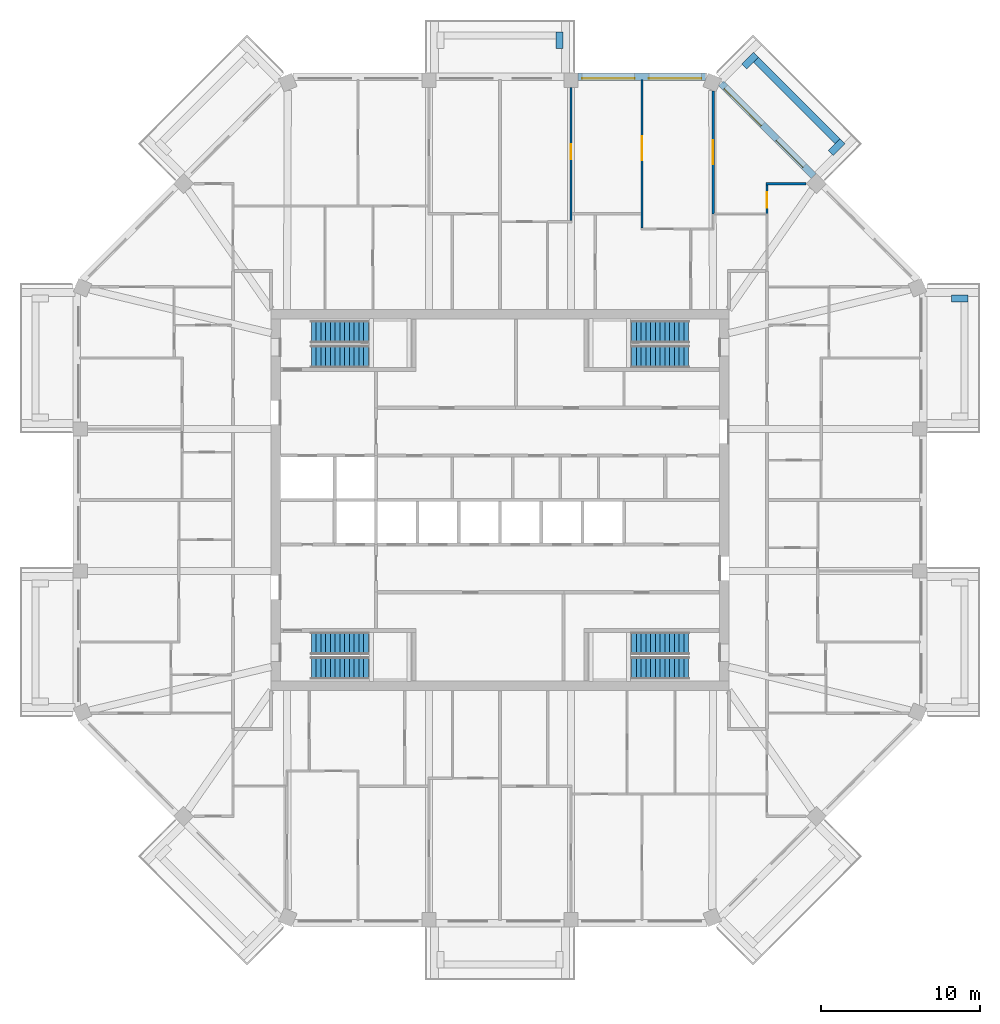
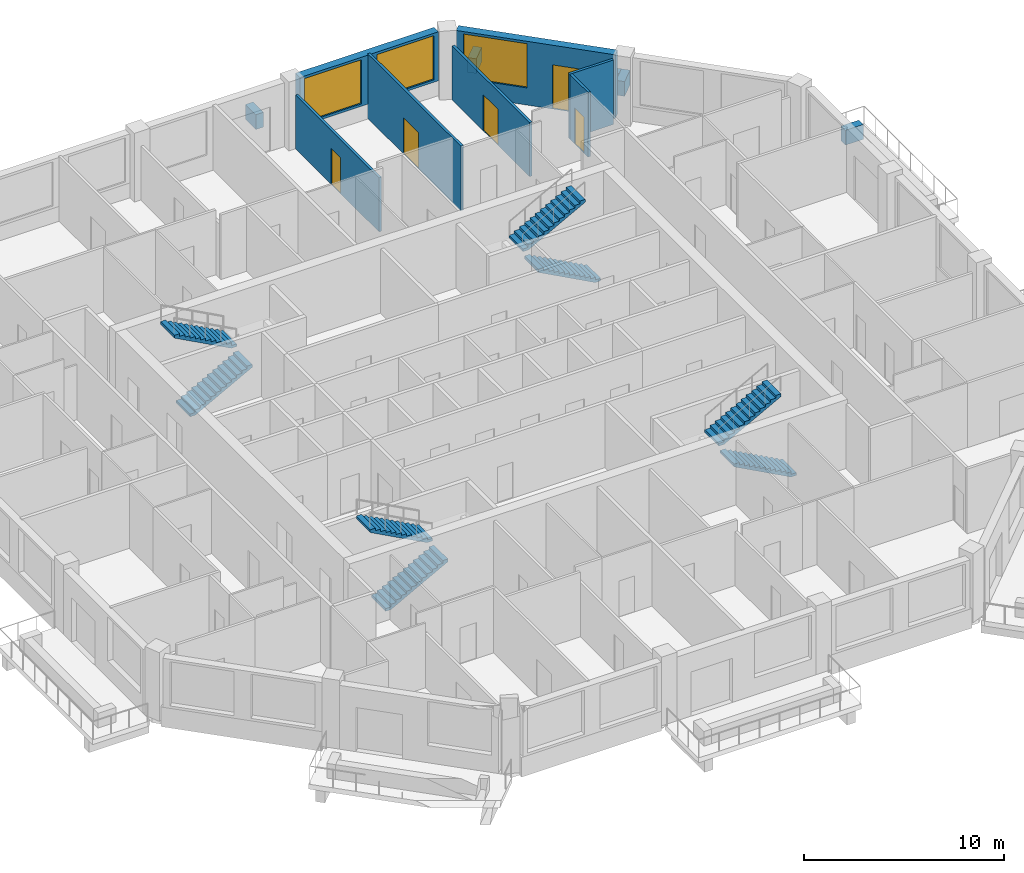
# One storey, part 10 of 12: 12 walls, 8 stair flights, 5 doors, 3 windows, 8 openings, 4 elements without a shape of their own.
"""IFC4 building model written with IfcOpenShell, lengths in metres."""

import ifcopenshell
import ifcopenshell.guid

model = None  # the IFC model being written
_history = None  # IfcOwnerHistory: only IFC2X3 demands one
_inside = {}  # id of a spatial element -> (the spatial element, [elements in it])
_under = {}  # id of a project, library or spatial element -> (it, [spatial elements below it])
_declared = {}  # id of a project -> (the project, [libraries it declares])
_typed = {}  # id of a type object -> (the type object, [elements of that type])
_made_of = {}  # id of a material, layer set ... -> (it, [elements and type objects made of it])


def new_model(schema):
    """Start an empty IFC model of exactly this schema.

    Asked for "IFC4X3", IfcOpenShell would pick the latest addendum, in which some entities
    have other attributes; the version numbers below select the first issue.
    IFC2X3 requires an IfcOwnerHistory on every rooted entity: one is made here for all.
    """
    global model, _history
    if schema == "IFC4X3":
        model = ifcopenshell.file(schema_version=(4, 3, 0, 0))
    else:
        model = ifcopenshell.file(schema=schema)
    _inside.clear()
    _under.clear()
    _declared.clear()
    _typed.clear()
    _made_of.clear()
    _history = None
    if model.schema == "IFC2X3":
        org = make("IfcOrganization", Name="unknown")
        user = make(
            "IfcPersonAndOrganization",
            ThePerson=make("IfcPerson", FamilyName="unknown"),
            TheOrganization=org,
        )
        app = make(
            "IfcApplication",
            ApplicationDeveloper=org,
            Version="unknown",
            ApplicationFullName="unknown",
            ApplicationIdentifier="unknown",
        )
        _history = make(
            "IfcOwnerHistory",
            OwningUser=user,
            OwningApplication=app,
            ChangeAction="ADDED",
            CreationDate=0,
        )
    return model


def make(cls, **values):
    """One entity of the class cls with the attributes given. An attribute that is None is left unset."""
    return model.create_entity(
        cls, **{name: value for name, value in values.items() if value is not None}
    )


def rooted(cls, **values):
    """An entity with a GlobalId (a new one), such as an element, a storey or a relation."""
    return make(cls, GlobalId=ifcopenshell.guid.new(), OwnerHistory=_history, **values)


def si_unit(unit_type, name, prefix=None):
    """IfcSIUnit, for example si_unit("LENGTHUNIT", "METRE", prefix="MILLI")."""
    return make("IfcSIUnit", UnitType=unit_type, Prefix=prefix, Name=name)


def assignment(units):
    """IfcUnitAssignment: the units of a project."""
    return None if units is None else make("IfcUnitAssignment", Units=units)


def point(xyz):
    """IfcCartesianPoint."""
    return None if xyz is None else make("IfcCartesianPoint", Coordinates=xyz)


def direction(xyz):
    """IfcDirection."""
    return None if xyz is None else make("IfcDirection", DirectionRatios=xyz)


def frame(location, z_axis=None, x_axis=None):
    """IfcAxis2Placement3D, a coordinate frame: its origin and axes. An axis left out is left unset."""
    return make(
        "IfcAxis2Placement3D",
        Location=point(location),
        Axis=direction(z_axis),
        RefDirection=direction(x_axis),
    )


def frame_2d(location, x_axis=None):
    """IfcAxis2Placement2D, a coordinate frame in the plane: its origin and x axis."""
    return make(
        "IfcAxis2Placement2D", Location=point(location), RefDirection=direction(x_axis)
    )


def origin():
    """The frame at (0, 0, 0) with its axes left unset."""
    return frame((0.0, 0.0, 0.0))


def place(relative_to, where):
    """IfcLocalPlacement: puts the frame where relative to a parent placement (None: the world)."""
    return make(
        "IfcLocalPlacement", PlacementRelTo=relative_to, RelativePlacement=where
    )


def context(
    kind, dimensions, precision=None, world=None, true_north=None, identifier=None
):
    """IfcGeometricRepresentationContext, for example the 3D "Model" context."""
    return make(
        "IfcGeometricRepresentationContext",
        ContextIdentifier=identifier,
        ContextType=kind,
        CoordinateSpaceDimension=dimensions,
        Precision=precision,
        WorldCoordinateSystem=world,
        TrueNorth=true_north,
    )


def subcontext(parent, identifier, kind, view, scale=None):
    """IfcGeometricRepresentationSubContext, for example "Body" below "Model"."""
    return make(
        "IfcGeometricRepresentationSubContext",
        ContextIdentifier=identifier,
        ContextType=kind,
        ParentContext=parent,
        TargetScale=scale,
        TargetView=view,
    )


def project(units=None, contexts=None):
    """IfcProject with its units and contexts."""
    return rooted(
        "IfcProject",
        Name="project",
        RepresentationContexts=contexts,
        UnitsInContext=assignment(units),
    )


def spatial(cls, under=None, at=None, **own):
    """A site, building, storey or space (cls), placed at a placement, below another one or the project."""
    s = rooted(cls, ObjectPlacement=at, **own)
    if under is not None:
        _under.setdefault(under.id(), (under, []))[1].append(s)
    return s


def polyline(points):
    """IfcPolyline through the points."""
    return make("IfcPolyline", Points=[point(p) for p in points])


def profile(cls, at=None, kind="AREA", **sizes):
    """A parametric profile (cls). Its sizes go by their IFC names, for example OverallWidth=200.0."""
    return make(cls, ProfileType=kind, Position=at, **sizes)


def rectangle(**sizes):
    """IfcRectangleProfileDef."""
    return profile("IfcRectangleProfileDef", **sizes)


def outline(outer, holes=None, kind="AREA"):
    """IfcArbitraryClosedProfileDef: a profile drawn as a closed curve; with holes, ...WithVoids."""
    if holes is None:
        return make("IfcArbitraryClosedProfileDef", ProfileType=kind, OuterCurve=outer)
    return make(
        "IfcArbitraryProfileDefWithVoids",
        ProfileType=kind,
        OuterCurve=outer,
        InnerCurves=holes,
    )


def extrude(swept, where, along, depth):
    """IfcExtrudedAreaSolid: the profile swept, set in the frame where, extruded along a direction by depth."""
    return make(
        "IfcExtrudedAreaSolid",
        SweptArea=swept,
        Position=where,
        ExtrudedDirection=direction(along),
        Depth=depth,
    )


def shape(context_of_items, identifier, shape_type, items):
    """IfcShapeRepresentation: the items that make up one representation, for example the "Body"."""
    return make(
        "IfcShapeRepresentation",
        ContextOfItems=context_of_items,
        RepresentationIdentifier=identifier,
        RepresentationType=shape_type,
        Items=items,
    )


def material(Name=None, Category=None):
    """IfcMaterial."""
    return make("IfcMaterial", Name=Name, Category=Category)


def layer(
    of_material, thickness, ventilated=None, Name=None, Category=None, Priority=None
):
    """IfcMaterialLayer: one layer of a wall or slab, of a material (None: an air gap)."""
    return make(
        "IfcMaterialLayer",
        Material=of_material,
        LayerThickness=thickness,
        IsVentilated=ventilated,
        Name=Name,
        Category=Category,
        Priority=Priority,
    )


def layer_set(layers, Name=None):
    """IfcMaterialLayerSet."""
    return make("IfcMaterialLayerSet", MaterialLayers=layers, LayerSetName=Name)


def made_of(thing, what):
    """Note that an element or type object is made of a material, layer set ...; save() writes the relation."""
    if what is not None:
        _made_of.setdefault(what.id(), (what, []))[1].append(thing)
    return thing


def type_object(cls, material=None, **own):
    """A type object (cls), such as IfcWallType, which elements share."""
    return made_of(rooted(cls, **own), material)


def element(
    cls,
    number,
    at=None,
    inside=None,
    cuts=None,
    type_object=None,
    material=None,
    context=None,
    identifier="Body",
    shape_type=None,
    held_by="IfcProductDefinitionShape",
    body=None,
    shapes=None,
    **own,
):
    """One element of the class cls, such as IfcWall. Its Tag is "e" and its number.

    at: its placement. inside: the storey or other place that contains it. cuts: it is an
    opening in that element (IfcRelVoidsElement). A single representation is given by context,
    identifier, shape_type and body (its items); several are given by shapes. held_by: the class
    of the entity that holds the representations. save() writes the other relations.
    """
    e = rooted(cls, Tag="e%d" % number, ObjectPlacement=at, **own)
    if body is not None:
        shapes = [shape(context, identifier, shape_type, body)]
    if shapes is not None:
        e.Representation = make(held_by, Representations=shapes)
    if inside is not None:
        _inside.setdefault(inside.id(), (inside, []))[1].append(e)
    if cuts is not None:
        rooted(
            "IfcRelVoidsElement", RelatingBuildingElement=cuts, RelatedOpeningElement=e
        )
    if type_object is not None:
        _typed.setdefault(type_object.id(), (type_object, []))[1].append(e)
    return made_of(e, material)


def fill(opening, filler):
    """IfcRelFillsElement: the door or window that sits in an opening."""
    return rooted(
        "IfcRelFillsElement",
        RelatingOpeningElement=opening,
        RelatedBuildingElement=filler,
    )


def aggregate(whole, parts):
    """IfcRelAggregates: a whole, such as a stair, and the parts it consists of."""
    return rooted("IfcRelAggregates", RelatingObject=whole, RelatedObjects=parts)


def save(model, path):
    """Write the relations noted so far, then the file.

    IfcRelAggregates (storeys below a building ...), IfcRelContainedInSpatialStructure (elements
    in a storey), IfcRelDefinesByType, IfcRelAssociatesMaterial and IfcRelDeclares: one each for
    every whole, place, type object, material and project.
    """
    for whole, parts in _under.values():
        aggregate(whole, parts)
    for where, things in _inside.values():
        rooted(
            "IfcRelContainedInSpatialStructure",
            RelatedElements=things,
            RelatingStructure=where,
        )
    for kind, things in _typed.values():
        rooted("IfcRelDefinesByType", RelatedObjects=things, RelatingType=kind)
    for what, things in _made_of.values():
        rooted("IfcRelAssociatesMaterial", RelatedObjects=things, RelatingMaterial=what)
    for by, libraries in _declared.values():
        rooted("IfcRelDeclares", RelatingContext=by, RelatedDefinitions=libraries)
    model.write(path)


model = new_model("IFC4")

# Units and contexts
model_context = context("Model", 3, precision=1e-05, world=origin(), true_north=direction((0.0, 1.0)))
body_context = subcontext(model_context, "Body", "Model", "MODEL_VIEW")
ifc_project = project(units=[si_unit("LENGTHUNIT", "METRE"), si_unit("AREAUNIT", "SQUARE_METRE"), si_unit("VOLUMEUNIT", "CUBIC_METRE"), si_unit("PLANEANGLEUNIT", "RADIAN"), si_unit("MASSUNIT", "GRAM", prefix="KILO")], contexts=[model_context])

# Site, building, storey
site_placement = place(None, origin())
site = spatial("IfcSite", under=ifc_project, at=site_placement, CompositionType="ELEMENT")
building_placement = place(site_placement, origin())
building = spatial("IfcBuilding", under=site, at=building_placement, Name="Msitu Wima Residences", CompositionType="ELEMENT")
storey_placement = place(building_placement, frame((0.0, 0.0, 276.89990234375)))
storey = spatial("IfcBuildingStorey", under=building, at=storey_placement, Name="L64", CompositionType="ELEMENT", Elevation=276.89990234375)

# Walls
ifc_material_1 = material(Name="Facing brick")
ifc_layer_1 = layer(ifc_material_1, 0.06494140625, Name="Facing brick")
ifc_material_2 = material(Name="Concrete C40/50", Category="concrete")
ifc_layer_2 = layer(ifc_material_2, 0.156005859375, Name="Concrete C40/50")
ifc_material_3 = material(Name="Waterproofing membrane")
ifc_layer_3 = layer(ifc_material_3, 0.00390625, Name="Waterproofing membrane")
ifc_material_4 = material(Name="Planting soil and planting")
ifc_layer_4 = layer(ifc_material_4, 0.22509765625, Name="Planting soil and planting")
ifc_layer_set_1 = layer_set([ifc_layer_1, ifc_layer_2, ifc_layer_3, ifc_layer_4], Name="Concrete C40/50")
wall_type_1 = type_object("IfcWallType", Name="Balcony planter PLANTER PL450", PredefinedType="USERDEFINED", material=ifc_layer_set_1)
wall_1_placement = place(storey_placement, frame((28.39990234375, 12.680908203125, 0.0), z_axis=(0.0, 0.0, 1.0), x_axis=(1.0, 0.0, 0.0)))
element("IfcWall", 1, at=wall_1_placement, inside=storey, type_object=wall_type_1, Name="Balcony planter E2 L64", ObjectType="PLANTER", PredefinedType="USERDEFINED", context=body_context, shape_type="SweptSolid", body=[
    extrude(rectangle(XDim=1.050048828125, YDim=0.449951171875, at=frame_2d((0.52490234375, 0.0))), origin(), (0.0, 0.0, 1.0), 0.900146484375),
])
wall_2_placement = place(storey_placement, frame((21.228759765625, 22.572265625, 0.0), z_axis=(0.0, 0.0, 1.0), x_axis=(-0.707106781187, 0.707106781187, 0.0)))
element("IfcWall", 2, at=wall_2_placement, inside=storey, type_object=wall_type_1, Name="Balcony planter NE1 L64", ObjectType="PLANTER", PredefinedType="USERDEFINED", context=body_context, shape_type="SweptSolid", body=[
    extrude(rectangle(XDim=7.23828125, YDim=0.449951171875, at=frame_2d((3.619140625, 0.0))), origin(), (0.0, 0.0, 1.0), 0.900146484375),
])
for number, where, z_axis, x_axis, name in (
    (3, (20.804443359375, 21.829833984375, 0.0), (0.0, 0.0, 1.0), (0.707106781187, 0.707106781187, 0.0), "Balcony planter NE1 L64"),
    (4, (15.3681640625, 27.26611328125, 0.0), (0.0, 0.0, 1.0), (0.706990528533, 0.707223014731, 0.0), "Balcony planter NE1 L64"),
    (5, (3.74365234375, 28.39990234375, 0.0), (0.0, 0.0, 1.0), (0.0, 1.0, 0.0), "Balcony planter N1 L64"),
):
    element("IfcWall", number, at=place(storey_placement, frame(where, z_axis=z_axis, x_axis=x_axis)), inside=storey, type_object=wall_type_1, Name=name, ObjectType="PLANTER", PredefinedType="USERDEFINED", context=body_context, shape_type="SweptSolid", body=[
        extrude(rectangle(XDim=1.050048828125, YDim=0.449951171875, at=frame_2d((0.52490234375, 0.0))), origin(), (0.0, 0.0, 1.0), 0.900146484375),
    ])

# Wall, openings, door, window
ifc_material_5 = material(Name="Brick (red buff mix)", Category="masonry")
ifc_layer_5 = layer(ifc_material_5, 0.449951171875)
ifc_layer_set_2 = layer_set([ifc_layer_5], Name="Brick (red buff mix)")
wall_type_2 = type_object("IfcWallType", Name="Brick infill wall BW450", PredefinedType="SOLIDWALL", material=ifc_layer_set_2)
wall_3_placement = place(storey_placement, frame((19.743896484375, 20.380126953125, 0.0), z_axis=(0.0, 0.0, 1.0), x_axis=(-0.707106781187, 0.707106781187, 0.0)))
wall_3 = element("IfcWall", 6, at=wall_3_placement, inside=storey, type_object=wall_type_2, Name="Brick infill wall L64 NE1", PredefinedType="SOLIDWALL", context=body_context, shape_type="SweptSolid", body=[
    extrude(rectangle(XDim=8.251220703125, YDim=0.449951171875, at=frame_2d((4.12548828125, 0.0))), origin(), (0.0, 0.0, 1.0), 3.900146484375),
])
opening_1_placement = place(wall_3_placement, frame((0.86279296875, 0.0, 0.0)))
opening_1 = element("IfcOpeningElement", 7, at=opening_1_placement, cuts=wall_3, Name="Opening D63-64.004", PredefinedType="OPENING", context=body_context, shape_type="SweptSolid", body=[
    extrude(rectangle(XDim=2.39990234375, YDim=2.699951171875, at=frame_2d((1.199951171875, 1.35009765625))), frame((0.0, 0.23486328125, 0.0), z_axis=(0.0, -1.0, 0.0), x_axis=(1.0, 0.0, 0.0)), (0.0, 0.0, 1.0), 0.469970703125),
])
opening_2_placement = place(wall_3_placement, frame((4.57568359375, 0.0, 1.050048828125)))
opening_2 = element("IfcOpeningElement", 8, at=opening_2_placement, cuts=wall_3, Name="Opening W63-64.012", PredefinedType="OPENING", context=body_context, shape_type="SweptSolid", body=[
    extrude(rectangle(XDim=3.300048828125, YDim=2.699951171875, at=frame_2d((1.64990234375, 1.35009765625))), frame((0.0, 0.23486328125, 0.0), z_axis=(0.0, -1.0, 0.0), x_axis=(1.0, 0.0, 0.0)), (0.0, 0.0, 1.0), 0.469970703125),
])
ifc_material_6 = material(Name="Anodised aluminium, bronze finish, clear low-emissivity double glazing", Category="aluminium")
door_type_1 = type_object("IfcDoorType", Name="Balcony door D2400x2700", OperationType="SLIDING_TO_LEFT", PredefinedType="DOOR", material=ifc_material_6)
door_1_placement = place(opening_1_placement, origin())
door_1 = element("IfcDoor", 9, at=door_1_placement, inside=storey, type_object=door_type_1, Name="Balcony door L64 NE1", OperationType="SINGLE_SWING_LEFT", OverallHeight=2.699951171875, OverallWidth=2.39990234375, PredefinedType="DOOR", context=body_context, shape_type="SweptSolid", body=[
    extrude(rectangle(XDim=2.39990234375, YDim=2.699951171875, at=frame_2d((1.199951171875, 1.35009765625))), frame((0.0, 0.1298828125, 0.0), z_axis=(0.0, -1.0, 0.0), x_axis=(1.0, 0.0, 0.0)), (0.0, 0.0, 1.0), 0.050048828125),
])
fill(opening_1, door_1)
window_type = type_object("IfcWindowType", Name="Window W3300x2700", PartitioningType="DOUBLE_PANEL_VERTICAL", PredefinedType="WINDOW", material=ifc_material_6)
window_1_placement = place(opening_2_placement, origin())
window_1 = element("IfcWindow", 10, at=window_1_placement, inside=storey, type_object=window_type, Name="Window L64 NE1.2", OverallHeight=2.699951171875, OverallWidth=3.300048828125, PartitioningType="SINGLE_PANEL", PredefinedType="WINDOW", context=body_context, shape_type="SweptSolid", body=[
    extrude(rectangle(XDim=3.300048828125, YDim=2.699951171875, at=frame_2d((1.64990234375, 1.35009765625))), frame((0.0, 0.135009765625, 0.0), z_axis=(0.0, -1.0, 0.0), x_axis=(1.0, 0.0, 0.0)), (0.0, 0.0, 1.0), 0.06005859375),
])
fill(opening_2, window_1)

# Wall, openings, windows
wall_4_placement = place(storey_placement, frame((12.918701171875, 26.625, 0.900146484375), z_axis=(0.0, 0.0, 1.0), x_axis=(-1.0, 0.0, 0.0)))
wall_4 = element("IfcWall", 11, at=wall_4_placement, inside=storey, type_object=wall_type_2, Name="Brick infill wall L64 N0", PredefinedType="SOLIDWALL", context=body_context, shape_type="SweptSolid", body=[
    extrude(rectangle(XDim=8.0, YDim=0.449951171875, at=frame_2d((4.0, 0.0))), origin(), (0.0, 0.0, 1.0), 3.0),
])
opening_3_placement = place(wall_4_placement, frame((0.25, 0.0, 0.14990234375)))
opening_3 = element("IfcOpeningElement", 12, at=opening_3_placement, cuts=wall_4, Name="Opening W63-64.005", PredefinedType="OPENING", context=body_context, shape_type="SweptSolid", body=[
    extrude(rectangle(XDim=3.300048828125, YDim=2.699951171875, at=frame_2d((1.64990234375, 1.35009765625))), frame((0.0, 0.23486328125, 0.0), z_axis=(0.0, -1.0, 0.0), x_axis=(1.0, 0.0, 0.0)), (0.0, 0.0, 1.0), 0.469970703125),
])
opening_4_placement = place(wall_4_placement, frame((4.4501953125, 0.0, 0.14990234375)))
opening_4 = element("IfcOpeningElement", 13, at=opening_4_placement, cuts=wall_4, Name="Opening W63-64.006", PredefinedType="OPENING", context=body_context, shape_type="SweptSolid", body=[
    extrude(rectangle(XDim=3.300048828125, YDim=2.699951171875, at=frame_2d((1.64990234375, 1.35009765625))), frame((0.0, 0.23486328125, 0.0), z_axis=(0.0, -1.0, 0.0), x_axis=(1.0, 0.0, 0.0)), (0.0, 0.0, 1.0), 0.469970703125),
])
window_2_placement = place(opening_3_placement, origin())
window_2 = element("IfcWindow", 14, at=window_2_placement, inside=storey, type_object=window_type, Name="Window L64 N0.1", OverallHeight=2.699951171875, OverallWidth=3.300048828125, PartitioningType="SINGLE_PANEL", PredefinedType="WINDOW", context=body_context, shape_type="SweptSolid", body=[
    extrude(rectangle(XDim=3.300048828125, YDim=2.699951171875, at=frame_2d((1.64990234375, 1.35009765625))), frame((0.0, 0.135009765625, 0.0), z_axis=(0.0, -1.0, 0.0), x_axis=(1.0, 0.0, 0.0)), (0.0, 0.0, 1.0), 0.06005859375),
])
fill(opening_3, window_2)
window_3_placement = place(opening_4_placement, origin())
window_3 = element("IfcWindow", 15, at=window_3_placement, inside=storey, type_object=window_type, Name="Window L64 N0.2", OverallHeight=2.699951171875, OverallWidth=3.300048828125, PartitioningType="SINGLE_PANEL", PredefinedType="WINDOW", context=body_context, shape_type="SweptSolid", body=[
    extrude(rectangle(XDim=3.300048828125, YDim=2.699951171875, at=frame_2d((1.64990234375, 1.35009765625))), frame((0.0, 0.135009765625, 0.0), z_axis=(0.0, -1.0, 0.0), x_axis=(1.0, 0.0, 0.0)), (0.0, 0.0, 1.0), 0.06005859375),
])
fill(opening_4, window_3)

# Wall, opening, door
ifc_material_7 = material(Name="Plaster")
ifc_layer_6 = layer(ifc_material_7, 0.011962890625, Name="Plaster")
ifc_material_8 = material(Name="Concrete blockwork", Category="masonry")
ifc_layer_7 = layer(ifc_material_8, 0.1259765625, Name="Concrete blockwork")
ifc_layer_8 = layer(ifc_material_7, 0.011962890625, Name="Plaster")
ifc_layer_set_3 = layer_set([ifc_layer_6, ifc_layer_7, ifc_layer_8], Name="Concrete blockwork")
wall_type_3 = type_object("IfcWallType", Name="Partition PW150", PredefinedType="PARTITIONING", material=ifc_layer_set_3)
wall_5_placement = place(storey_placement, frame((4.46875, 17.574951171875, 0.0), z_axis=(0.0, 0.0, 1.0), x_axis=(0.0, 1.0, 0.0)))
wall_5 = element("IfcWall", 16, at=wall_5_placement, inside=storey, type_object=wall_type_3, Name="Partition", PredefinedType="PARTITIONING", context=body_context, shape_type="SweptSolid", body=[
    extrude(rectangle(XDim=8.375, YDim=0.14990234375, at=frame_2d((4.1875, 0.0))), origin(), (0.0, 0.0, 1.0), 3.300048828125),
])
opening_5_placement = place(wall_5_placement, frame((3.85009765625, 0.0, 0.0)))
opening_5 = element("IfcOpeningElement", 17, at=opening_5_placement, cuts=wall_5, Name="Opening D63-64.015", PredefinedType="OPENING", context=body_context, shape_type="SweptSolid", body=[
    extrude(rectangle(XDim=0.949951171875, YDim=2.199951171875, at=frame_2d((0.47509765625, 1.10009765625))), frame((0.0, 0.0849609375, 0.0), z_axis=(0.0, -1.0, 0.0), x_axis=(1.0, 0.0, 0.0)), (0.0, 0.0, 1.0), 0.169921875),
])
ifc_material_9 = material(Name="Timber flush door", Category="wood")
door_type_2 = type_object("IfcDoorType", Name="Room door D12 950x2200", OperationType="SINGLE_SWING_LEFT", PredefinedType="DOOR", material=ifc_material_9)
door_2_placement = place(opening_5_placement, origin())
door_2 = element("IfcDoor", 18, at=door_2_placement, inside=storey, type_object=door_type_2, Name="Room door", OperationType="SINGLE_SWING_RIGHT", OverallHeight=2.199951171875, OverallWidth=0.949951171875, PredefinedType="DOOR", context=body_context, shape_type="SweptSolid", body=[
    extrude(rectangle(XDim=0.949951171875, YDim=2.199951171875, at=frame_2d((0.47509765625, 1.10009765625))), frame((0.0, 0.02490234375, 0.0), z_axis=(0.0, -1.0, 0.0), x_axis=(1.0, 0.0, 0.0)), (0.0, 0.0, 1.0), 0.050048828125),
])
fill(opening_5, door_2)

wall_6_placement = place(storey_placement, frame((8.937255859375, 17.125, 0.0), z_axis=(0.0, 0.0, 1.0), x_axis=(0.0, 1.0, 0.0)))
wall_6 = element("IfcWall", 19, at=wall_6_placement, inside=storey, type_object=wall_type_3, Name="Partition", PredefinedType="PARTITIONING", context=body_context, shape_type="SweptSolid", body=[
    extrude(rectangle(XDim=9.330078125, YDim=0.14990234375, at=frame_2d((4.6650390625, 0.0))), origin(), (0.0, 0.0, 1.0), 3.9501953125),
])
opening_6_placement = place(wall_6_placement, frame((4.25, 0.0, 0.0)))
opening_6 = element("IfcOpeningElement", 20, at=opening_6_placement, cuts=wall_6, Name="Opening D63-64.013", PredefinedType="OPENING", context=body_context, shape_type="SweptSolid", body=[
    extrude(rectangle(XDim=1.5, YDim=2.199951171875, at=frame_2d((0.75, 1.10009765625))), frame((0.0, 0.0849609375, 0.0), z_axis=(0.0, -1.0, 0.0), x_axis=(1.0, 0.0, 0.0)), (0.0, 0.0, 1.0), 0.169921875),
])
ifc_material_10 = material(Name="Timber double door", Category="wood")
door_type_3 = type_object("IfcDoorType", Name="Double door D04 1500x2200", OperationType="DOUBLE_DOOR_SINGLE_SWING", PredefinedType="DOOR", material=ifc_material_10)
door_3_placement = place(opening_6_placement, origin())
door_3 = element("IfcDoor", 21, at=door_3_placement, inside=storey, type_object=door_type_3, Name="Double door", OperationType="DOUBLE_DOOR_SINGLE_SWING", OverallHeight=2.199951171875, OverallWidth=1.5, PredefinedType="DOOR", context=body_context, shape_type="SweptSolid", body=[
    extrude(rectangle(XDim=1.5, YDim=2.199951171875, at=frame_2d((0.75, 1.10009765625))), frame((0.0, 0.02490234375, 0.0), z_axis=(0.0, -1.0, 0.0), x_axis=(1.0, 0.0, 0.0)), (0.0, 0.0, 1.0), 0.050048828125),
])
fill(opening_6, door_3)

wall_7_placement = place(storey_placement, frame((13.406005859375, 17.97998046875, 0.0), z_axis=(0.0, 0.0, 1.0), x_axis=(0.0, 1.0, 0.0)))
wall_7 = element("IfcWall", 22, at=wall_7_placement, inside=storey, type_object=wall_type_3, Name="Partition", PredefinedType="PARTITIONING", context=body_context, shape_type="SweptSolid", body=[
    extrude(rectangle(XDim=7.751220703125, YDim=0.14990234375, at=frame_2d((3.87548828125, 0.0))), origin(), (0.0, 0.0, 1.0), 3.300048828125),
])
opening_7_placement = place(wall_7_placement, frame((3.14990234375, 0.0, 0.0)))
opening_7 = element("IfcOpeningElement", 23, at=opening_7_placement, cuts=wall_7, Name="Opening D63-64.022", PredefinedType="OPENING", context=body_context, shape_type="SweptSolid", body=[
    extrude(rectangle(XDim=1.5, YDim=2.199951171875, at=frame_2d((0.75, 1.10009765625))), frame((0.0, 0.0849609375, 0.0), z_axis=(0.0, -1.0, 0.0), x_axis=(1.0, 0.0, 0.0)), (0.0, 0.0, 1.0), 0.169921875),
])
door_4_placement = place(opening_7_placement, origin())
door_4 = element("IfcDoor", 24, at=door_4_placement, inside=storey, type_object=door_type_3, Name="Double door", OperationType="DOUBLE_DOOR_SINGLE_SWING", OverallHeight=2.199951171875, OverallWidth=1.5, PredefinedType="DOOR", context=body_context, shape_type="SweptSolid", body=[
    extrude(rectangle(XDim=1.5, YDim=2.199951171875, at=frame_2d((0.75, 1.10009765625))), frame((0.0, 0.02490234375, 0.0), z_axis=(0.0, -1.0, 0.0), x_axis=(1.0, 0.0, 0.0)), (0.0, 0.0, 1.0), 0.050048828125),
])
fill(opening_7, door_4)

wall_8_placement = place(storey_placement, frame((16.800048828125, 18.0, 0.0), z_axis=(0.0, 0.0, 1.0), x_axis=(0.0, 1.0, 0.0)))
wall_8 = element("IfcWall", 25, at=wall_8_placement, inside=storey, type_object=wall_type_3, Name="Partition", PredefinedType="PARTITIONING", context=body_context, shape_type="SweptSolid", body=[
    extrude(rectangle(XDim=1.827880859375, YDim=0.14990234375, at=frame_2d((0.9140625, 0.0))), origin(), (0.0, 0.0, 1.0), 3.9501953125),
])
opening_8_placement = place(wall_8_placement, frame((0.39990234375, 0.0, 0.0)))
opening_8 = element("IfcOpeningElement", 26, at=opening_8_placement, cuts=wall_8, Name="Opening D63-64.021", PredefinedType="OPENING", context=body_context, shape_type="SweptSolid", body=[
    extrude(rectangle(XDim=0.949951171875, YDim=2.199951171875, at=frame_2d((0.47509765625, 1.10009765625))), frame((0.0, 0.0849609375, 0.0), z_axis=(0.0, -1.0, 0.0), x_axis=(1.0, 0.0, 0.0)), (0.0, 0.0, 1.0), 0.169921875),
])
door_5_placement = place(opening_8_placement, origin())
door_5 = element("IfcDoor", 27, at=door_5_placement, inside=storey, type_object=door_type_2, Name="Room door", OperationType="SINGLE_SWING_LEFT", OverallHeight=2.199951171875, OverallWidth=0.949951171875, PredefinedType="DOOR", context=body_context, shape_type="SweptSolid", body=[
    extrude(rectangle(XDim=0.949951171875, YDim=2.199951171875, at=frame_2d((0.47509765625, 1.10009765625))), frame((0.0, 0.02490234375, 0.0), z_axis=(0.0, -1.0, 0.0), x_axis=(1.0, 0.0, 0.0)), (0.0, 0.0, 1.0), 0.050048828125),
])
fill(opening_8, door_5)

# Wall
wall_9_placement = place(storey_placement, frame((16.72509765625, 19.90283203125, 0.0), z_axis=(0.0, 0.0, 1.0), x_axis=(1.0, 0.0, 0.0)))
element("IfcWall", 28, at=wall_9_placement, inside=storey, type_object=wall_type_3, Name="Partition", PredefinedType="PARTITIONING", context=body_context, shape_type="SweptSolid", body=[
    extrude(rectangle(XDim=2.54150390625, YDim=0.14990234375, at=frame_2d((1.270751953125, 0.0))), origin(), (0.0, 0.0, 1.0), 3.9501953125),
])

# Stair, stair flights
stair_type = type_object("IfcStairType", Name="Exit stair ES1615-140", PredefinedType="HALF_TURN_STAIR", material=ifc_material_2)
stair_1_placement = place(storey_placement, origin())
stair_1 = element("IfcStair", 29, at=stair_1_placement, inside=storey, type_object=stair_type, Name="Exit stair 1", PredefinedType="HALF_TURN_STAIR")
stair_flight_type = type_object("IfcStairFlightType", Name="Exit stair flight ES1615-140", PredefinedType="STRAIGHT", material=ifc_material_2)
stair_flight_1_placement = place(storey_placement, frame((-11.875, 9.02490234375, 0.0), z_axis=(0.0, 0.0, 1.0), x_axis=(1.0, 0.0, 0.0)))
stair_flight_1 = element("IfcStairFlight", 30, at=stair_flight_1_placement, type_object=stair_flight_type, Name="S1 flight 1", NumberOfRisers=13, NumberOfTreads=12, PredefinedType="STRAIGHT", RiserHeight=0.161538462, TreadLength=0.3, context=body_context, shape_type="SweptSolid", body=[
    extrude(outline(polyline([(0.0, 0.0), (0.0, 0.16162109375), (0.300048828125, 0.16162109375), (0.300048828125, 0.322998046875), (0.60009765625, 0.322998046875), (0.60009765625, 0.484619140625), (0.89990234375, 0.484619140625), (0.89990234375, 0.646240234375), (1.199951171875, 0.646240234375), (1.199951171875, 0.8076171875), (1.5, 0.8076171875), (1.5, 0.96923828125), (1.800048828125, 0.96923828125), (1.800048828125, 1.130859375), (2.10009765625, 1.130859375), (2.10009765625, 1.292236328125), (2.39990234375, 1.292236328125), (2.39990234375, 1.453857421875), (2.699951171875, 1.453857421875), (2.699951171875, 1.615478515625), (3.0, 1.615478515625), (3.0, 1.77685546875), (3.300048828125, 1.77685546875), (3.300048828125, 1.9384765625), (3.60009765625, 1.9384765625), (3.60009765625, 2.10009765625), (3.60009765625, 1.768310546875), (0.316162109375, 0.0), (0.0, 0.0)])), frame((0.0, 0.699951171875, 0.0), z_axis=(0.0, -1.0, 0.0), x_axis=(1.0, 0.0, 0.0)), (0.0, 0.0, 1.0), 1.39990234375),
])
stair_flight_2_placement = place(storey_placement, frame((-8.27490234375, 10.574951171875, 2.10009765625), z_axis=(0.0, 0.0, 1.0), x_axis=(-1.0, 0.0, 0.0)))
stair_flight_2 = element("IfcStairFlight", 31, at=stair_flight_2_placement, type_object=stair_flight_type, Name="S1 flight 2", NumberOfRisers=13, NumberOfTreads=12, PredefinedType="STRAIGHT", RiserHeight=0.161538462, TreadLength=0.3, context=body_context, shape_type="SweptSolid", body=[
    extrude(outline(polyline([(0.0, 0.0), (0.0, 0.16162109375), (0.300048828125, 0.16162109375), (0.300048828125, 0.322998046875), (0.60009765625, 0.322998046875), (0.60009765625, 0.484619140625), (0.89990234375, 0.484619140625), (0.89990234375, 0.646240234375), (1.199951171875, 0.646240234375), (1.199951171875, 0.8076171875), (1.5, 0.8076171875), (1.5, 0.96923828125), (1.800048828125, 0.96923828125), (1.800048828125, 1.130859375), (2.10009765625, 1.130859375), (2.10009765625, 1.292236328125), (2.39990234375, 1.292236328125), (2.39990234375, 1.453857421875), (2.699951171875, 1.453857421875), (2.699951171875, 1.615478515625), (3.0, 1.615478515625), (3.0, 1.77685546875), (3.300048828125, 1.77685546875), (3.300048828125, 1.9384765625), (3.60009765625, 1.9384765625), (3.60009765625, 2.10009765625), (3.60009765625, 1.768310546875), (0.316162109375, 0.0), (0.0, 0.0)])), frame((0.0, 0.699951171875, 0.0), z_axis=(0.0, -1.0, 0.0), x_axis=(1.0, 0.0, 0.0)), (0.0, 0.0, 1.0), 1.39990234375),
])
aggregate(stair_1, [stair_flight_1, stair_flight_2])

stair_2_placement = place(storey_placement, origin())
stair_2 = element("IfcStair", 32, at=stair_2_placement, inside=storey, type_object=stair_type, Name="Exit stair 2", PredefinedType="HALF_TURN_STAIR")
stair_flight_3_placement = place(storey_placement, frame((-11.875, -10.574951171875, 0.0), z_axis=(0.0, 0.0, 1.0), x_axis=(1.0, 0.0, 0.0)))
stair_flight_3 = element("IfcStairFlight", 33, at=stair_flight_3_placement, type_object=stair_flight_type, Name="S2 flight 1", NumberOfRisers=13, NumberOfTreads=12, PredefinedType="STRAIGHT", RiserHeight=0.161538462, TreadLength=0.3, context=body_context, shape_type="SweptSolid", body=[
    extrude(outline(polyline([(0.0, 0.0), (0.0, 0.16162109375), (0.300048828125, 0.16162109375), (0.300048828125, 0.322998046875), (0.60009765625, 0.322998046875), (0.60009765625, 0.484619140625), (0.89990234375, 0.484619140625), (0.89990234375, 0.646240234375), (1.199951171875, 0.646240234375), (1.199951171875, 0.8076171875), (1.5, 0.8076171875), (1.5, 0.96923828125), (1.800048828125, 0.96923828125), (1.800048828125, 1.130859375), (2.10009765625, 1.130859375), (2.10009765625, 1.292236328125), (2.39990234375, 1.292236328125), (2.39990234375, 1.453857421875), (2.699951171875, 1.453857421875), (2.699951171875, 1.615478515625), (3.0, 1.615478515625), (3.0, 1.77685546875), (3.300048828125, 1.77685546875), (3.300048828125, 1.9384765625), (3.60009765625, 1.9384765625), (3.60009765625, 2.10009765625), (3.60009765625, 1.768310546875), (0.316162109375, 0.0), (0.0, 0.0)])), frame((0.0, 0.699951171875, 0.0), z_axis=(0.0, -1.0, 0.0), x_axis=(1.0, 0.0, 0.0)), (0.0, 0.0, 1.0), 1.39990234375),
])
stair_flight_4_placement = place(storey_placement, frame((-8.27490234375, -9.02490234375, 2.10009765625), z_axis=(0.0, 0.0, 1.0), x_axis=(-1.0, 0.0, 0.0)))
stair_flight_4 = element("IfcStairFlight", 34, at=stair_flight_4_placement, type_object=stair_flight_type, Name="S2 flight 2", NumberOfRisers=13, NumberOfTreads=12, PredefinedType="STRAIGHT", RiserHeight=0.161538462, TreadLength=0.3, context=body_context, shape_type="SweptSolid", body=[
    extrude(outline(polyline([(0.0, 0.0), (0.0, 0.16162109375), (0.300048828125, 0.16162109375), (0.300048828125, 0.322998046875), (0.60009765625, 0.322998046875), (0.60009765625, 0.484619140625), (0.89990234375, 0.484619140625), (0.89990234375, 0.646240234375), (1.199951171875, 0.646240234375), (1.199951171875, 0.8076171875), (1.5, 0.8076171875), (1.5, 0.96923828125), (1.800048828125, 0.96923828125), (1.800048828125, 1.130859375), (2.10009765625, 1.130859375), (2.10009765625, 1.292236328125), (2.39990234375, 1.292236328125), (2.39990234375, 1.453857421875), (2.699951171875, 1.453857421875), (2.699951171875, 1.615478515625), (3.0, 1.615478515625), (3.0, 1.77685546875), (3.300048828125, 1.77685546875), (3.300048828125, 1.9384765625), (3.60009765625, 1.9384765625), (3.60009765625, 2.10009765625), (3.60009765625, 1.768310546875), (0.316162109375, 0.0), (0.0, 0.0)])), frame((0.0, 0.699951171875, 0.0), z_axis=(0.0, -1.0, 0.0), x_axis=(1.0, 0.0, 0.0)), (0.0, 0.0, 1.0), 1.39990234375),
])
aggregate(stair_2, [stair_flight_3, stair_flight_4])

stair_3_placement = place(storey_placement, origin())
stair_3 = element("IfcStair", 35, at=stair_3_placement, inside=storey, type_object=stair_type, Name="Exit stair 3", PredefinedType="HALF_TURN_STAIR")
stair_flight_5_placement = place(storey_placement, frame((11.875, 9.02490234375, 0.0), z_axis=(0.0, 0.0, 1.0), x_axis=(-1.0, 0.0, 0.0)))
stair_flight_5 = element("IfcStairFlight", 36, at=stair_flight_5_placement, type_object=stair_flight_type, Name="S3 flight 1", NumberOfRisers=13, NumberOfTreads=12, PredefinedType="STRAIGHT", RiserHeight=0.161538462, TreadLength=0.3, context=body_context, shape_type="SweptSolid", body=[
    extrude(outline(polyline([(0.0, 0.0), (0.0, 0.16162109375), (0.300048828125, 0.16162109375), (0.300048828125, 0.322998046875), (0.60009765625, 0.322998046875), (0.60009765625, 0.484619140625), (0.89990234375, 0.484619140625), (0.89990234375, 0.646240234375), (1.199951171875, 0.646240234375), (1.199951171875, 0.8076171875), (1.5, 0.8076171875), (1.5, 0.96923828125), (1.800048828125, 0.96923828125), (1.800048828125, 1.130859375), (2.10009765625, 1.130859375), (2.10009765625, 1.292236328125), (2.39990234375, 1.292236328125), (2.39990234375, 1.453857421875), (2.699951171875, 1.453857421875), (2.699951171875, 1.615478515625), (3.0, 1.615478515625), (3.0, 1.77685546875), (3.300048828125, 1.77685546875), (3.300048828125, 1.9384765625), (3.60009765625, 1.9384765625), (3.60009765625, 2.10009765625), (3.60009765625, 1.768310546875), (0.316162109375, 0.0), (0.0, 0.0)])), frame((0.0, 0.699951171875, 0.0), z_axis=(0.0, -1.0, 0.0), x_axis=(1.0, 0.0, 0.0)), (0.0, 0.0, 1.0), 1.39990234375),
])
stair_flight_6_placement = place(storey_placement, frame((8.27490234375, 10.574951171875, 2.10009765625), z_axis=(0.0, 0.0, 1.0), x_axis=(1.0, 0.0, 0.0)))
stair_flight_6 = element("IfcStairFlight", 37, at=stair_flight_6_placement, type_object=stair_flight_type, Name="S3 flight 2", NumberOfRisers=13, NumberOfTreads=12, PredefinedType="STRAIGHT", RiserHeight=0.161538462, TreadLength=0.3, context=body_context, shape_type="SweptSolid", body=[
    extrude(outline(polyline([(0.0, 0.0), (0.0, 0.16162109375), (0.300048828125, 0.16162109375), (0.300048828125, 0.322998046875), (0.60009765625, 0.322998046875), (0.60009765625, 0.484619140625), (0.89990234375, 0.484619140625), (0.89990234375, 0.646240234375), (1.199951171875, 0.646240234375), (1.199951171875, 0.8076171875), (1.5, 0.8076171875), (1.5, 0.96923828125), (1.800048828125, 0.96923828125), (1.800048828125, 1.130859375), (2.10009765625, 1.130859375), (2.10009765625, 1.292236328125), (2.39990234375, 1.292236328125), (2.39990234375, 1.453857421875), (2.699951171875, 1.453857421875), (2.699951171875, 1.615478515625), (3.0, 1.615478515625), (3.0, 1.77685546875), (3.300048828125, 1.77685546875), (3.300048828125, 1.9384765625), (3.60009765625, 1.9384765625), (3.60009765625, 2.10009765625), (3.60009765625, 1.768310546875), (0.316162109375, 0.0), (0.0, 0.0)])), frame((0.0, 0.699951171875, 0.0), z_axis=(0.0, -1.0, 0.0), x_axis=(1.0, 0.0, 0.0)), (0.0, 0.0, 1.0), 1.39990234375),
])
aggregate(stair_3, [stair_flight_5, stair_flight_6])

stair_4_placement = place(storey_placement, origin())
stair_4 = element("IfcStair", 38, at=stair_4_placement, inside=storey, type_object=stair_type, Name="Exit stair 4", PredefinedType="HALF_TURN_STAIR")
stair_flight_7_placement = place(storey_placement, frame((11.875, -10.574951171875, 0.0), z_axis=(0.0, 0.0, 1.0), x_axis=(-1.0, 0.0, 0.0)))
stair_flight_7 = element("IfcStairFlight", 39, at=stair_flight_7_placement, type_object=stair_flight_type, Name="S4 flight 1", NumberOfRisers=13, NumberOfTreads=12, PredefinedType="STRAIGHT", RiserHeight=0.161538462, TreadLength=0.3, context=body_context, shape_type="SweptSolid", body=[
    extrude(outline(polyline([(0.0, 0.0), (0.0, 0.16162109375), (0.300048828125, 0.16162109375), (0.300048828125, 0.322998046875), (0.60009765625, 0.322998046875), (0.60009765625, 0.484619140625), (0.89990234375, 0.484619140625), (0.89990234375, 0.646240234375), (1.199951171875, 0.646240234375), (1.199951171875, 0.8076171875), (1.5, 0.8076171875), (1.5, 0.96923828125), (1.800048828125, 0.96923828125), (1.800048828125, 1.130859375), (2.10009765625, 1.130859375), (2.10009765625, 1.292236328125), (2.39990234375, 1.292236328125), (2.39990234375, 1.453857421875), (2.699951171875, 1.453857421875), (2.699951171875, 1.615478515625), (3.0, 1.615478515625), (3.0, 1.77685546875), (3.300048828125, 1.77685546875), (3.300048828125, 1.9384765625), (3.60009765625, 1.9384765625), (3.60009765625, 2.10009765625), (3.60009765625, 1.768310546875), (0.316162109375, 0.0), (0.0, 0.0)])), frame((0.0, 0.699951171875, 0.0), z_axis=(0.0, -1.0, 0.0), x_axis=(1.0, 0.0, 0.0)), (0.0, 0.0, 1.0), 1.39990234375),
])
stair_flight_8_placement = place(storey_placement, frame((8.27490234375, -9.02490234375, 2.10009765625), z_axis=(0.0, 0.0, 1.0), x_axis=(1.0, 0.0, 0.0)))
stair_flight_8 = element("IfcStairFlight", 40, at=stair_flight_8_placement, type_object=stair_flight_type, Name="S4 flight 2", NumberOfRisers=13, NumberOfTreads=12, PredefinedType="STRAIGHT", RiserHeight=0.161538462, TreadLength=0.3, context=body_context, shape_type="SweptSolid", body=[
    extrude(outline(polyline([(0.0, 0.0), (0.0, 0.16162109375), (0.300048828125, 0.16162109375), (0.300048828125, 0.322998046875), (0.60009765625, 0.322998046875), (0.60009765625, 0.484619140625), (0.89990234375, 0.484619140625), (0.89990234375, 0.646240234375), (1.199951171875, 0.646240234375), (1.199951171875, 0.8076171875), (1.5, 0.8076171875), (1.5, 0.96923828125), (1.800048828125, 0.96923828125), (1.800048828125, 1.130859375), (2.10009765625, 1.130859375), (2.10009765625, 1.292236328125), (2.39990234375, 1.292236328125), (2.39990234375, 1.453857421875), (2.699951171875, 1.453857421875), (2.699951171875, 1.615478515625), (3.0, 1.615478515625), (3.0, 1.77685546875), (3.300048828125, 1.77685546875), (3.300048828125, 1.9384765625), (3.60009765625, 1.9384765625), (3.60009765625, 2.10009765625), (3.60009765625, 1.768310546875), (0.316162109375, 0.0), (0.0, 0.0)])), frame((0.0, 0.699951171875, 0.0), z_axis=(0.0, -1.0, 0.0), x_axis=(1.0, 0.0, 0.0)), (0.0, 0.0, 1.0), 1.39990234375),
])
aggregate(stair_4, [stair_flight_7, stair_flight_8])

save(model, "model.ifc")
